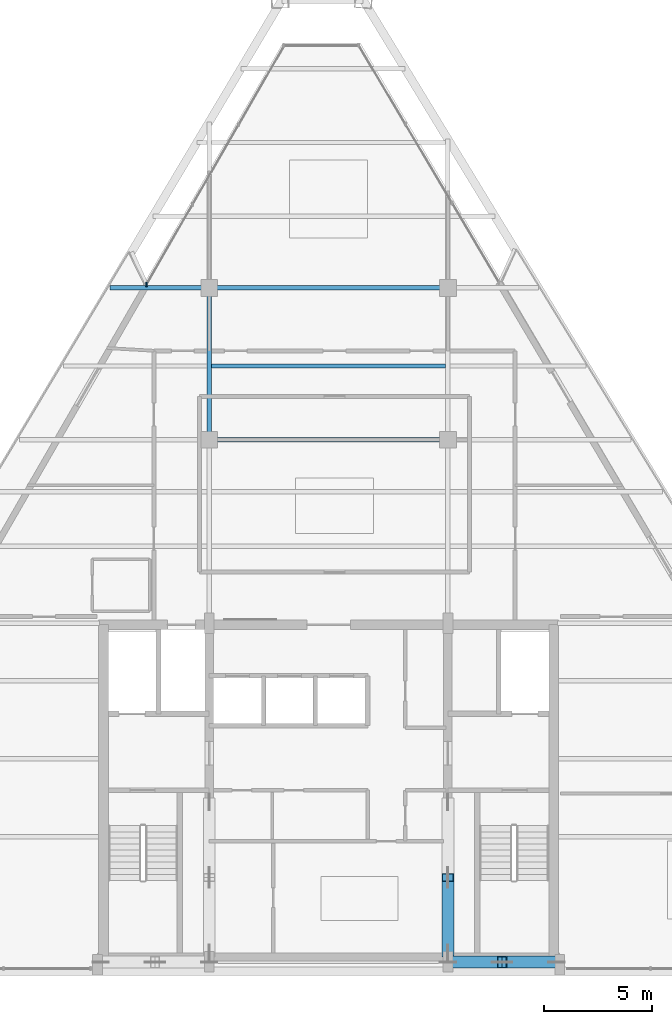
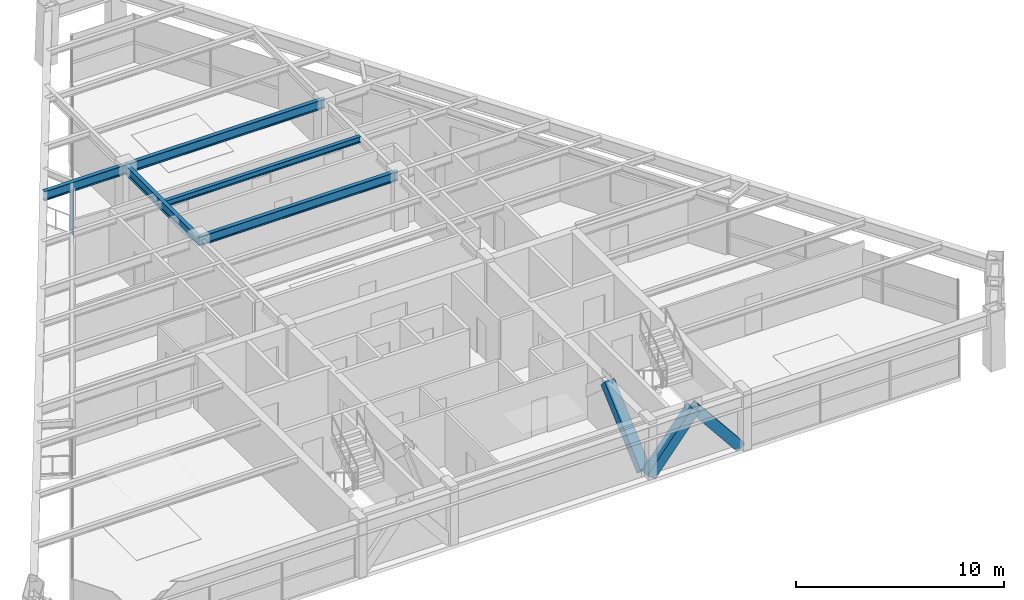
# One storey, part 4 of 13: 5 beams, 5 members, 1 element without a shape of its own.
"""IFC4 building model written with IfcOpenShell, lengths in metres."""

from ifc_helpers import new_model, si_unit, direction, frame, origin, origin_2d, place, context, subcontext, project, spatial, rectangle, hollow_rectangle, i_section, extrude, source, transform, mapped, material, material_profile, profile_set, type_object, type_shapes, element, aggregate, save


model = new_model("IFC4")

# Units and contexts
model_context = context("Model", 3, precision=1e-05, world=origin(), true_north=direction((0.0, 1.0)))
body_context = subcontext(model_context, "Body", "Model", "MODEL_VIEW")
ifc_project = project(units=[si_unit("LENGTHUNIT", "METRE"), si_unit("AREAUNIT", "SQUARE_METRE"), si_unit("VOLUMEUNIT", "CUBIC_METRE"), si_unit("PLANEANGLEUNIT", "RADIAN"), si_unit("MASSUNIT", "GRAM", prefix="KILO")], contexts=[model_context])

# Site, building, storey
site_placement = place(None, origin())
site = spatial("IfcSite", under=ifc_project, at=site_placement, CompositionType="ELEMENT")
building_placement = place(site_placement, origin())
building = spatial("IfcBuilding", under=site, at=building_placement, Name="Varnakhor Terracotta Tower", CompositionType="ELEMENT")
storey_placement = place(building_placement, frame((0.0, 0.0, 276.449951171875)))
storey = spatial("IfcBuildingStorey", under=building, at=storey_placement, Name="L72", CompositionType="ELEMENT", Elevation=276.449951171875)

# Beams
ifc_material_1 = material(Name="Steel S355", Category="steel")
ifc_material_profile_1 = material_profile(ifc_material_1, i_section(OverallWidth=0.214111328125, OverallDepth=0.549072265625, WebThickness=0.014892578125, FlangeThickness=0.02392578125, FilletRadius=0.01806640625, at=origin_2d()), Name="W21X93")
ifc_profile_set_1 = profile_set([ifc_material_profile_1], Name="Steel S355")
beam_type_1 = type_object("IfcBeamType", Name="BM-W21X93", PredefinedType="BEAM", material=ifc_profile_set_1)
shared_shape_1 = source(origin(), body_context, "Body", "SweptSolid", [
    extrude(i_section(OverallWidth=0.214111328125, OverallDepth=0.549072265625, WebThickness=0.014892578125, FlangeThickness=0.02392578125, FilletRadius=0.01806640625, at=origin_2d()), origin(), (0.0, 0.0, 1.0), 7.0),
])
beam_1_placement = place(storey_placement, frame((-5.5, 24.5, 2.965576171875), z_axis=(0.0, 1.0, 0.0), x_axis=(-1.0, 0.0, 0.0)))
element("IfcBeam", 1, at=beam_1_placement, inside=storey, type_object=beam_type_1, Name="L72 Primary Girder NS2-W", PredefinedType="BEAM", context=body_context, shape_type="MappedRepresentation", body=[
    mapped(shared_shape_1, transform((0.0, 0.0, 0.0), scale=1.0)),
])
shared_shape_2 = source(origin(), body_context, "Body", "SweptSolid", [
    extrude(i_section(OverallWidth=0.214111328125, OverallDepth=0.549072265625, WebThickness=0.014892578125, FlangeThickness=0.02392578125, FilletRadius=0.01806640625, at=origin_2d()), origin(), (0.0, 0.0, 1.0), 11.0),
])
for number, where, z_axis, x_axis, name in (
    (2, (-5.5, 24.5, 2.965576171875), (1.0, 0.0, 0.0), (0.0, 1.0, 0.0), "L72 Primary Girder EW2-2"),
    (3, (-5.5, 31.5, 2.965576171875), (1.0, 0.0, 0.0), (0.0, 1.0, 0.0), "L72 Primary Girder EW3-2"),
):
    element("IfcBeam", number, at=place(storey_placement, frame(where, z_axis=z_axis, x_axis=x_axis)), inside=storey, type_object=beam_type_1, Name=name, PredefinedType="BEAM", context=body_context, shape_type="MappedRepresentation", body=[
        mapped(shared_shape_2, transform((0.0, 0.0, 0.0), scale=1.0)),
    ])
ifc_material_profile_2 = material_profile(ifc_material_1, i_section(OverallWidth=0.202880859375, OverallDepth=0.346923828125, WebThickness=0.0078125, FlangeThickness=0.013427734375, FilletRadius=0.01806640625, at=origin_2d()), Name="W14X43")
ifc_profile_set_2 = profile_set([ifc_material_profile_2], Name="Steel S355")
beam_type_2 = type_object("IfcBeamType", Name="JST-W14X43", PredefinedType="JOIST", material=ifc_profile_set_2)
shared_shape_3 = source(origin(), body_context, "Body", "SweptSolid", [
    extrude(i_section(OverallWidth=0.202880859375, OverallDepth=0.346923828125, WebThickness=0.0078125, FlangeThickness=0.013427734375, FilletRadius=0.01806640625, at=origin_2d()), origin(), (0.0, 0.0, 1.0), 10.7939453125),
])
beam_2_placement = place(storey_placement, frame((-5.39697265625, 27.89990234375, 3.066650390625), z_axis=(1.0, 0.0, 0.0), x_axis=(0.0, 1.0, 0.0)))
element("IfcBeam", 4, at=beam_2_placement, inside=storey, type_object=beam_type_2, Name="L72 Composite Floor Joist 6-2", PredefinedType="JOIST", context=body_context, shape_type="MappedRepresentation", body=[
    mapped(shared_shape_3, transform((0.0, 0.0, 0.0), scale=1.0)),
])

# Members
ifc_material_profile_3 = material_profile(ifc_material_1, hollow_rectangle(XDim=0.550048828125, YDim=0.550048828125, WallThickness=0.034912109375, at=origin_2d()), Name="HSS550X550X35")
ifc_profile_set_3 = profile_set([ifc_material_profile_3], Name="Steel S355")
member_type_1 = type_object("IfcMemberType", Name="MBR-MEGA-550", PredefinedType="BRACE", material=ifc_profile_set_3)
shared_shape_4 = source(origin(), body_context, "Body", "SweptSolid", [
    extrude(hollow_rectangle(XDim=0.550048828125, YDim=0.550048828125, WallThickness=0.034912109375, at=origin_2d()), origin(), (0.0, 0.0, 1.0), 3.974853515625),
])
for number, where, z_axis, x_axis, name in (
    (5, (5.5, 0.419921875, 0.0), (0.628970263838, 0.0, 0.777429358339), (0.0, 1.0, 0.0), "L72 Core Coupled Brace CSEA"),
    (6, (10.5, 0.419921875, 0.0), (-0.628970263838, 0.0, 0.777429358339), (0.0, -1.0, 0.0), "L72 Core Coupled Brace CSEB"),
):
    element("IfcMember", number, at=place(storey_placement, frame(where, z_axis=z_axis, x_axis=x_axis)), inside=storey, type_object=member_type_1, Name=name, PredefinedType="BRACE", context=body_context, shape_type="MappedRepresentation", body=[
        mapped(shared_shape_4, transform((0.0, 0.0, 0.0), scale=1.0)),
    ])
shared_shape_5 = source(origin(), body_context, "Body", "SweptSolid", [
    extrude(hollow_rectangle(XDim=0.550048828125, YDim=0.550048828125, WallThickness=0.034912109375, at=origin_2d()), origin(), (0.0, 0.0, 1.0), 4.650146484375),
])
member_1_placement = place(storey_placement, frame((5.5, 0.85009765625, 0.0), z_axis=(0.0, 0.74726736397, 0.664523503532), x_axis=(-1.0, 0.0, 0.0)))
element("IfcMember", 7, at=member_1_placement, inside=storey, type_object=member_type_1, Name="L72 Core Coupled Brace CWEA", PredefinedType="BRACE", context=body_context, shape_type="MappedRepresentation", body=[
    mapped(shared_shape_5, transform((0.0, 0.0, 0.0), scale=1.0)),
])

# Beam
shared_shape_6 = source(origin(), body_context, "Body", "SweptSolid", [
    extrude(i_section(OverallWidth=0.214111328125, OverallDepth=0.549072265625, WebThickness=0.014892578125, FlangeThickness=0.02392578125, FilletRadius=0.01806640625, at=origin_2d()), origin(), (0.0, 0.0, 1.0), 4.565673828125),
])
beam_3_placement = place(storey_placement, frame((-10.065673828125, 31.5, 2.965576171875), z_axis=(1.0, 0.0, 0.0), x_axis=(0.0, 1.0, 0.0)))
element("IfcBeam", 8, at=beam_3_placement, inside=storey, type_object=beam_type_1, Name="L72 Primary Girder EW3-1", PredefinedType="BEAM", context=body_context, shape_type="MappedRepresentation", body=[
    mapped(shared_shape_6, transform((0.0, 0.0, 0.0), scale=1.0)),
])

# Curtain wall, members
ifc_material_2 = material(Name="Anodised Aluminium Curtain Wall System", Category="aluminium")
curtain_wall_type = type_object("IfcCurtainWallType", Name="CW-SYS-HOTEL-LOGGIA", PredefinedType="NOTDEFINED", material=ifc_material_2)
curtain_wall_placement = place(storey_placement, origin())
curtain_wall = element("IfcCurtainWall", 9, at=curtain_wall_placement, inside=storey, type_object=curtain_wall_type, Name="L72 W Facet Curtain Wall 2", PredefinedType="NOTDEFINED")
ifc_material_3 = material(Name="Anodised Aluminium 6063-T6", Category="aluminium")
ifc_material_profile_4 = material_profile(ifc_material_3, rectangle(XDim=0.06494140625, YDim=0.159912109375, at=origin_2d()), Name="ALU MULLION 65x160")
ifc_profile_set_4 = profile_set([ifc_material_profile_4], Name="Anodised Aluminium 6063-T6")
member_type_2 = type_object("IfcMemberType", Name="CWM-04", PredefinedType="MULLION", material=ifc_profile_set_4)
shared_shape_7 = source(origin(), body_context, "Body", "SweptSolid", [
    extrude(rectangle(XDim=0.06494140625, YDim=0.159912109375, at=origin_2d()), origin(), (0.0, 0.0, 1.0), 2.820068359375),
])
type_shapes(member_type_2, [shared_shape_7])
member_2_placement = place(storey_placement, frame((-8.387451171875, 31.668701171875, 0.0), z_axis=(0.0, 0.0, 1.0), x_axis=(1.0, 0.0, 0.0)))
member_2 = element("IfcMember", 10, at=member_2_placement, type_object=member_type_2, Name="L72 W Facet Curtain Wall 2 Mullion 1", PredefinedType="MULLION", context=body_context, shape_type="MappedRepresentation", body=[
    mapped(shared_shape_7, transform((0.0, 0.0, 0.0), scale=1.0)),
])
member_3_placement = place(storey_placement, frame((-8.385009765625, 31.632568359375, 0.0), z_axis=(0.0, 0.0, 1.0), x_axis=(1.0, 0.0, 0.0)))
member_3 = element("IfcMember", 11, at=member_3_placement, type_object=member_type_2, Name="L72 W Loggia Jamb Closure Mullion 2", PredefinedType="MULLION", context=body_context, shape_type="MappedRepresentation", body=[
    mapped(shared_shape_7, transform((0.0, 0.0, 0.0), scale=1.0)),
])
aggregate(curtain_wall, [member_2, member_3])

save(model, "model.ifc")
